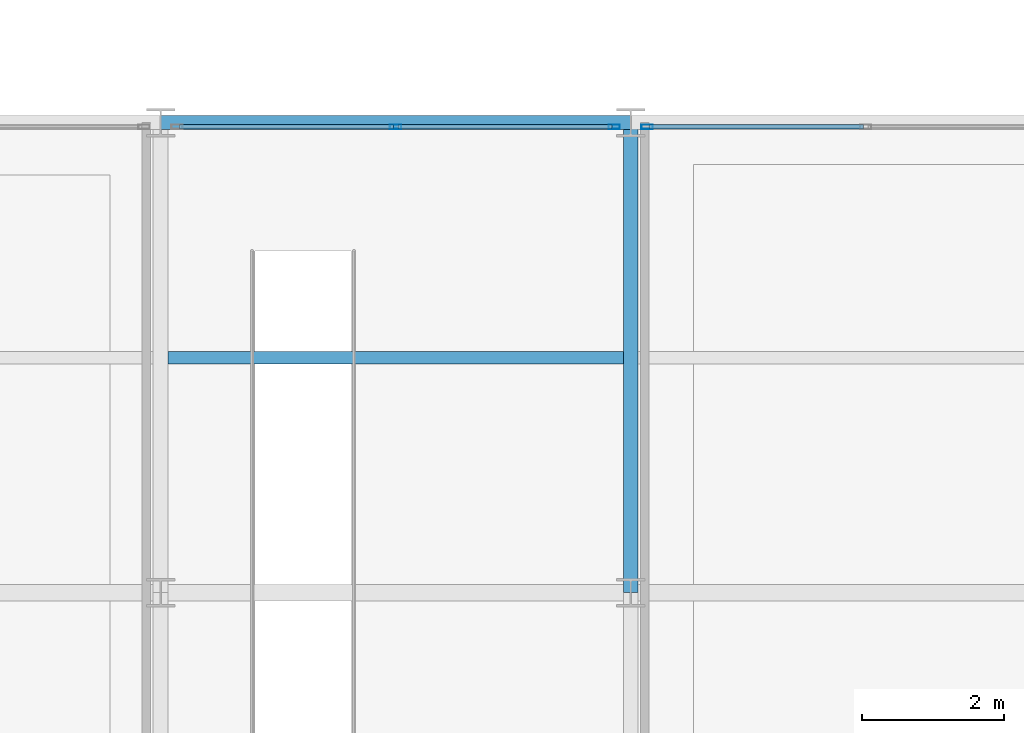
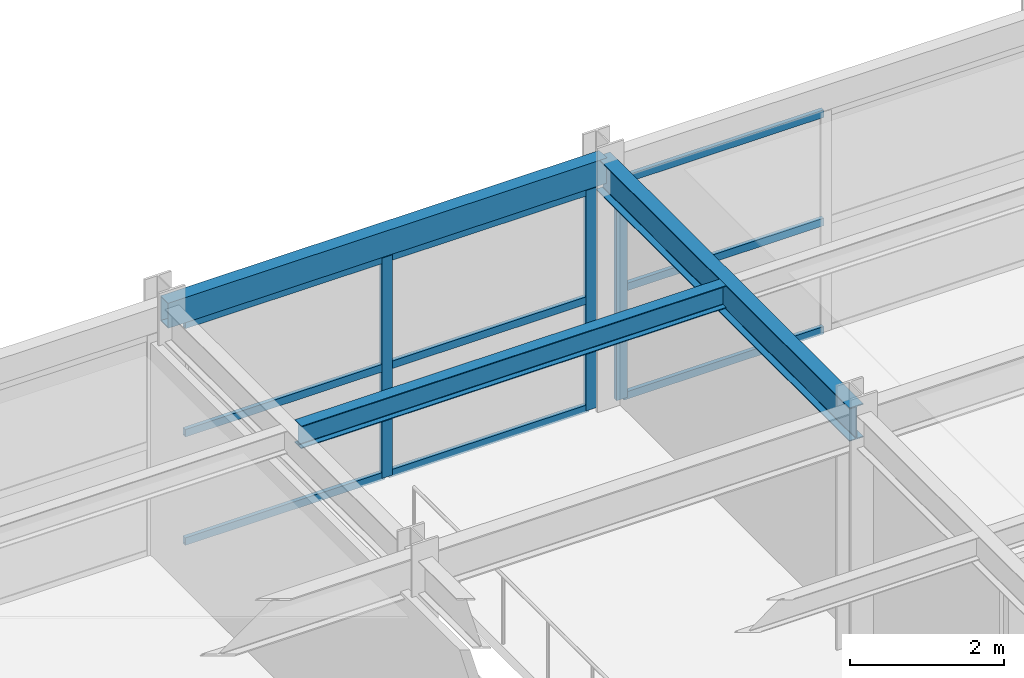
# One storey, part 93 of 147: 12 members, 3 beams, 2 elements without a shape of their own.
"""IFC4 building model written with IfcOpenShell, lengths in metres."""

import ifcopenshell
import ifcopenshell.guid

model = None  # the IFC model being written
_history = None  # IfcOwnerHistory: only IFC2X3 demands one
_inside = {}  # id of a spatial element -> (the spatial element, [elements in it])
_under = {}  # id of a project, library or spatial element -> (it, [spatial elements below it])
_declared = {}  # id of a project -> (the project, [libraries it declares])
_typed = {}  # id of a type object -> (the type object, [elements of that type])
_made_of = {}  # id of a material, layer set ... -> (it, [elements and type objects made of it])


def new_model(schema):
    """Start an empty IFC model of exactly this schema.

    Asked for "IFC4X3", IfcOpenShell would pick the latest addendum, in which some entities
    have other attributes; the version numbers below select the first issue.
    IFC2X3 requires an IfcOwnerHistory on every rooted entity: one is made here for all.
    """
    global model, _history
    if schema == "IFC4X3":
        model = ifcopenshell.file(schema_version=(4, 3, 0, 0))
    else:
        model = ifcopenshell.file(schema=schema)
    _inside.clear()
    _under.clear()
    _declared.clear()
    _typed.clear()
    _made_of.clear()
    _history = None
    if model.schema == "IFC2X3":
        org = make("IfcOrganization", Name="unknown")
        user = make(
            "IfcPersonAndOrganization",
            ThePerson=make("IfcPerson", FamilyName="unknown"),
            TheOrganization=org,
        )
        app = make(
            "IfcApplication",
            ApplicationDeveloper=org,
            Version="unknown",
            ApplicationFullName="unknown",
            ApplicationIdentifier="unknown",
        )
        _history = make(
            "IfcOwnerHistory",
            OwningUser=user,
            OwningApplication=app,
            ChangeAction="ADDED",
            CreationDate=0,
        )
    return model


def make(cls, **values):
    """One entity of the class cls with the attributes given. An attribute that is None is left unset."""
    return model.create_entity(
        cls, **{name: value for name, value in values.items() if value is not None}
    )


def rooted(cls, **values):
    """An entity with a GlobalId (a new one), such as an element, a storey or a relation."""
    return make(cls, GlobalId=ifcopenshell.guid.new(), OwnerHistory=_history, **values)


def si_unit(unit_type, name, prefix=None):
    """IfcSIUnit, for example si_unit("LENGTHUNIT", "METRE", prefix="MILLI")."""
    return make("IfcSIUnit", UnitType=unit_type, Prefix=prefix, Name=name)


def assignment(units):
    """IfcUnitAssignment: the units of a project."""
    return None if units is None else make("IfcUnitAssignment", Units=units)


def point(xyz):
    """IfcCartesianPoint."""
    return None if xyz is None else make("IfcCartesianPoint", Coordinates=xyz)


def direction(xyz):
    """IfcDirection."""
    return None if xyz is None else make("IfcDirection", DirectionRatios=xyz)


def frame(location, z_axis=None, x_axis=None):
    """IfcAxis2Placement3D, a coordinate frame: its origin and axes. An axis left out is left unset."""
    return make(
        "IfcAxis2Placement3D",
        Location=point(location),
        Axis=direction(z_axis),
        RefDirection=direction(x_axis),
    )


def frame_2d(location, x_axis=None):
    """IfcAxis2Placement2D, a coordinate frame in the plane: its origin and x axis."""
    return make(
        "IfcAxis2Placement2D", Location=point(location), RefDirection=direction(x_axis)
    )


def origin():
    """The frame at (0, 0, 0) with its axes left unset."""
    return frame((0.0, 0.0, 0.0))


def origin_2d():
    """The frame at (0, 0) in the plane with its x axis left unset."""
    return frame_2d((0.0, 0.0))


def place(relative_to, where):
    """IfcLocalPlacement: puts the frame where relative to a parent placement (None: the world)."""
    return make(
        "IfcLocalPlacement", PlacementRelTo=relative_to, RelativePlacement=where
    )


def context(
    kind, dimensions, precision=None, world=None, true_north=None, identifier=None
):
    """IfcGeometricRepresentationContext, for example the 3D "Model" context."""
    return make(
        "IfcGeometricRepresentationContext",
        ContextIdentifier=identifier,
        ContextType=kind,
        CoordinateSpaceDimension=dimensions,
        Precision=precision,
        WorldCoordinateSystem=world,
        TrueNorth=true_north,
    )


def subcontext(parent, identifier, kind, view, scale=None):
    """IfcGeometricRepresentationSubContext, for example "Body" below "Model"."""
    return make(
        "IfcGeometricRepresentationSubContext",
        ContextIdentifier=identifier,
        ContextType=kind,
        ParentContext=parent,
        TargetScale=scale,
        TargetView=view,
    )


def project(units=None, contexts=None):
    """IfcProject with its units and contexts."""
    return rooted(
        "IfcProject",
        Name="project",
        RepresentationContexts=contexts,
        UnitsInContext=assignment(units),
    )


def spatial(cls, under=None, at=None, **own):
    """A site, building, storey or space (cls), placed at a placement, below another one or the project."""
    s = rooted(cls, ObjectPlacement=at, **own)
    if under is not None:
        _under.setdefault(under.id(), (under, []))[1].append(s)
    return s


def profile(cls, at=None, kind="AREA", **sizes):
    """A parametric profile (cls). Its sizes go by their IFC names, for example OverallWidth=200.0."""
    return make(cls, ProfileType=kind, Position=at, **sizes)


def hollow_rectangle(**sizes):
    """IfcRectangleHollowProfileDef."""
    return profile("IfcRectangleHollowProfileDef", **sizes)


def i_section(**sizes):
    """IfcIShapeProfileDef."""
    return profile("IfcIShapeProfileDef", **sizes)


def extrude(swept, where, along, depth):
    """IfcExtrudedAreaSolid: the profile swept, set in the frame where, extruded along a direction by depth."""
    return make(
        "IfcExtrudedAreaSolid",
        SweptArea=swept,
        Position=where,
        ExtrudedDirection=direction(along),
        Depth=depth,
    )


def shape(context_of_items, identifier, shape_type, items):
    """IfcShapeRepresentation: the items that make up one representation, for example the "Body"."""
    return make(
        "IfcShapeRepresentation",
        ContextOfItems=context_of_items,
        RepresentationIdentifier=identifier,
        RepresentationType=shape_type,
        Items=items,
    )


def material(Name=None, Category=None):
    """IfcMaterial."""
    return make("IfcMaterial", Name=Name, Category=Category)


def material_profile(
    of_material, cross_section, Name=None, Category=None, Priority=None
):
    """IfcMaterialProfile: a cross section and its material."""
    return make(
        "IfcMaterialProfile",
        Name=Name,
        Material=of_material,
        Profile=cross_section,
        Priority=Priority,
        Category=Category,
    )


def profile_set(profiles, Name=None, composite=None):
    """IfcMaterialProfileSet."""
    return make(
        "IfcMaterialProfileSet",
        Name=Name,
        MaterialProfiles=profiles,
        CompositeProfile=composite,
    )


def made_of(thing, what):
    """Note that an element or type object is made of a material, layer set ...; save() writes the relation."""
    if what is not None:
        _made_of.setdefault(what.id(), (what, []))[1].append(thing)
    return thing


def type_object(cls, material=None, **own):
    """A type object (cls), such as IfcWallType, which elements share."""
    return made_of(rooted(cls, **own), material)


def element(
    cls,
    number,
    at=None,
    inside=None,
    cuts=None,
    type_object=None,
    material=None,
    context=None,
    identifier="Body",
    shape_type=None,
    held_by="IfcProductDefinitionShape",
    body=None,
    shapes=None,
    **own,
):
    """One element of the class cls, such as IfcWall. Its Tag is "e" and its number.

    at: its placement. inside: the storey or other place that contains it. cuts: it is an
    opening in that element (IfcRelVoidsElement). A single representation is given by context,
    identifier, shape_type and body (its items); several are given by shapes. held_by: the class
    of the entity that holds the representations. save() writes the other relations.
    """
    e = rooted(cls, Tag="e%d" % number, ObjectPlacement=at, **own)
    if body is not None:
        shapes = [shape(context, identifier, shape_type, body)]
    if shapes is not None:
        e.Representation = make(held_by, Representations=shapes)
    if inside is not None:
        _inside.setdefault(inside.id(), (inside, []))[1].append(e)
    if cuts is not None:
        rooted(
            "IfcRelVoidsElement", RelatingBuildingElement=cuts, RelatedOpeningElement=e
        )
    if type_object is not None:
        _typed.setdefault(type_object.id(), (type_object, []))[1].append(e)
    return made_of(e, material)


def aggregate(whole, parts):
    """IfcRelAggregates: a whole, such as a stair, and the parts it consists of."""
    return rooted("IfcRelAggregates", RelatingObject=whole, RelatedObjects=parts)


def save(model, path):
    """Write the relations noted so far, then the file.

    IfcRelAggregates (storeys below a building ...), IfcRelContainedInSpatialStructure (elements
    in a storey), IfcRelDefinesByType, IfcRelAssociatesMaterial and IfcRelDeclares: one each for
    every whole, place, type object, material and project.
    """
    for whole, parts in _under.values():
        aggregate(whole, parts)
    for where, things in _inside.values():
        rooted(
            "IfcRelContainedInSpatialStructure",
            RelatedElements=things,
            RelatingStructure=where,
        )
    for kind, things in _typed.values():
        rooted("IfcRelDefinesByType", RelatedObjects=things, RelatingType=kind)
    for what, things in _made_of.values():
        rooted("IfcRelAssociatesMaterial", RelatedObjects=things, RelatingMaterial=what)
    for by, libraries in _declared.values():
        rooted("IfcRelDeclares", RelatingContext=by, RelatedDefinitions=libraries)
    model.write(path)


model = new_model("IFC4")

# Units and contexts
model_context = context("Model", 3, precision=1e-05, world=origin(), true_north=direction((0.0, 1.0)))
body_context = subcontext(model_context, "Body", "Model", "MODEL_VIEW")
ifc_project = project(units=[si_unit("LENGTHUNIT", "METRE"), si_unit("AREAUNIT", "SQUARE_METRE"), si_unit("VOLUMEUNIT", "CUBIC_METRE"), si_unit("PLANEANGLEUNIT", "RADIAN"), si_unit("MASSUNIT", "GRAM", prefix="KILO")], contexts=[model_context])

# Site, building, storey
site_placement = place(None, origin())
site = spatial("IfcSite", under=ifc_project, at=site_placement, CompositionType="ELEMENT")
building_placement = place(site_placement, origin())
building = spatial("IfcBuilding", under=site, at=building_placement, Name="Karori Crest Natural Sciences Institute", CompositionType="ELEMENT")
storey_placement = place(building_placement, frame((0.0, 0.0, 9.10009765625)))
storey = spatial("IfcBuildingStorey", under=building, at=storey_placement, Name="L02", CompositionType="ELEMENT", Elevation=9.10009765625)

# Beams
ifc_material_1 = material(Name="Structural steel AS/NZS 3679.1 Grade 350", Category="steel")
ifc_material_profile_1 = material_profile(ifc_material_1, i_section(OverallWidth=0.208984375, OverallDepth=0.532958984375, WebThickness=0.01025390625, FlangeThickness=0.015625, FilletRadius=0.013916015625, at=origin_2d()), Name="530UB92.4")
ifc_profile_set_1 = profile_set([ifc_material_profile_1], Name="Structural steel AS/NZS 3679.1 Grade 350")
beam_type_1 = type_object("IfcBeamType", Name="BT-05", PredefinedType="BEAM", material=ifc_profile_set_1)
beam_1_placement = place(storey_placement, frame((149.800048828125, 14.0, 3.6533203125), z_axis=(0.0, 1.0, 0.0), x_axis=(-1.0, 0.0, 0.0)))
element("IfcBeam", 1, at=beam_1_placement, inside=storey, type_object=beam_type_1, Name="Beam B-2252", PredefinedType="BEAM", context=body_context, shape_type="SweptSolid", body=[
    extrude(i_section(OverallWidth=0.208984375, OverallDepth=0.532958984375, WebThickness=0.01025390625, FlangeThickness=0.015625, FilletRadius=0.013916015625, at=origin_2d()), origin(), (0.0, 0.0, 1.0), 6.60009765625),
])
ifc_material_profile_2 = material_profile(ifc_material_1, i_section(OverallWidth=0.172119140625, OverallDepth=0.35888671875, WebThickness=0.008056640625, FlangeThickness=0.012939453125, FilletRadius=0.010986328125, at=origin_2d()), Name="360UB56.7")
ifc_profile_set_2 = profile_set([ifc_material_profile_2], Name="Structural steel AS/NZS 3679.1 Grade 350")
beam_type_2 = type_object("IfcBeamType", Name="BT-08", PredefinedType="BEAM", material=ifc_profile_set_2)
beam_2_placement = place(storey_placement, frame((143.304443359375, 17.300048828125, 3.740478515625), z_axis=(1.0, 0.0, 0.0), x_axis=(0.0, 1.0, 0.0)))
element("IfcBeam", 2, at=beam_2_placement, inside=storey, type_object=beam_type_2, Name="Beam B-2275", PredefinedType="BEAM", context=body_context, shape_type="SweptSolid", body=[
    extrude(i_section(OverallWidth=0.172119140625, OverallDepth=0.35888671875, WebThickness=0.008056640625, FlangeThickness=0.012939453125, FilletRadius=0.010986328125, at=origin_2d()), origin(), (0.0, 0.0, 1.0), 6.39111328125),
])
ifc_material_2 = material(Name="Hollow structural steel AS/NZS 1163 Grade C350", Category="steel")
ifc_material_profile_3 = material_profile(ifc_material_2, hollow_rectangle(XDim=0.199951171875, YDim=0.39990234375, WallThickness=0.012451171875, at=origin_2d()), Name="RHS400x200x12.5")
ifc_profile_set_3 = profile_set([ifc_material_profile_3], Name="Hollow structural steel AS/NZS 1163 Grade C350")
beam_type_3 = type_object("IfcBeamType", Name="BT-14", PredefinedType="SPANDREL", material=ifc_profile_set_3)
beam_3_placement = place(storey_placement, frame((143.199951171875, 20.60009765625, 3.719970703125), z_axis=(1.0, 0.0, 0.0), x_axis=(0.0, 1.0, 0.0)))
element("IfcBeam", 3, at=beam_3_placement, inside=storey, type_object=beam_type_3, Name="Beam B-2226", PredefinedType="SPANDREL", context=body_context, shape_type="SweptSolid", body=[
    extrude(hollow_rectangle(XDim=0.199951171875, YDim=0.39990234375, WallThickness=0.012451171875, at=origin_2d()), origin(), (0.0, 0.0, 1.0), 6.60009765625),
])

# Curtain wall, members
ifc_material_3 = material(Name="Anodised architectural aluminium 6063-T6", Category="aluminium")
curtain_wall_type = type_object("IfcCurtainWallType", Name="CWT-20", PredefinedType="NOTDEFINED", material=ifc_material_3)
curtain_wall_1_placement = place(storey_placement, origin())
curtain_wall_1 = element("IfcCurtainWall", 4, at=curtain_wall_1_placement, inside=storey, type_object=curtain_wall_type, Name="Curtain wall CW-0319", PredefinedType="NOTDEFINED")
ifc_material_profile_4 = material_profile(ifc_material_3, hollow_rectangle(XDim=0.06494140625, YDim=0.159912109375, WallThickness=0.00390625, at=origin_2d()), Name="CWM160x65x4")
ifc_profile_set_4 = profile_set([ifc_material_profile_4], Name="Anodised architectural aluminium 6063-T6")
member_type_1 = type_object("IfcMemberType", Name="CWM-01", PredefinedType="MULLION", material=ifc_profile_set_4)
member_1_placement = place(storey_placement, frame((146.5, 20.5400390625, 0.0), z_axis=(0.0, 0.0, 1.0), x_axis=(0.0, 1.0, 0.0)))
member_1 = element("IfcMember", 5, at=member_1_placement, type_object=member_type_1, Name="CW-0319 mullion 2", PredefinedType="MULLION", context=body_context, shape_type="SweptSolid", body=[
    extrude(hollow_rectangle(XDim=0.06494140625, YDim=0.159912109375, WallThickness=0.00390625, at=origin_2d()), origin(), (0.0, 0.0, 1.0), 3.5048828125),
])
member_2_placement = place(storey_placement, frame((149.569580078125, 20.5400390625, 0.0), z_axis=(0.0, 0.0, 1.0), x_axis=(0.0, 1.0, 0.0)))
member_2 = element("IfcMember", 6, at=member_2_placement, type_object=member_type_1, Name="CW-0319 mullion 3", PredefinedType="MULLION", context=body_context, shape_type="SweptSolid", body=[
    extrude(hollow_rectangle(XDim=0.06494140625, YDim=0.159912109375, WallThickness=0.00390625, at=origin_2d()), origin(), (0.0, 0.0, 1.0), 3.5048828125),
])

# Curtain wall, member
curtain_wall_2_placement = place(storey_placement, origin())
curtain_wall_2 = element("IfcCurtainWall", 7, at=curtain_wall_2_placement, inside=storey, type_object=curtain_wall_type, Name="Curtain wall CW-0320", PredefinedType="NOTDEFINED")
member_3_placement = place(storey_placement, frame((150.030517578125, 20.5400390625, 0.0), z_axis=(0.0, 0.0, 1.0), x_axis=(0.0, 1.0, 0.0)))
member_3 = element("IfcMember", 8, at=member_3_placement, type_object=member_type_1, Name="CW-0320 mullion 1", PredefinedType="MULLION", context=body_context, shape_type="SweptSolid", body=[
    extrude(hollow_rectangle(XDim=0.06494140625, YDim=0.159912109375, WallThickness=0.00390625, at=origin_2d()), origin(), (0.0, 0.0, 1.0), 3.5048828125),
])

# Member
ifc_material_profile_5 = material_profile(ifc_material_3, hollow_rectangle(XDim=0.06005859375, YDim=0.1201171875, WallThickness=0.00390625, at=origin_2d()), Name="CWT120x60x4")
ifc_profile_set_5 = profile_set([ifc_material_profile_5], Name="Anodised architectural aluminium 6063-T6")
member_type_2 = type_object("IfcMemberType", Name="CWT-TR1", PredefinedType="USERDEFINED", material=ifc_profile_set_5)
member_4_placement = place(storey_placement, frame((143.462890625, 20.5400390625, 0.02978515625), z_axis=(1.0, 0.0, 0.0), x_axis=(0.0, 1.0, 0.0)))
member_4 = element("IfcMember", 9, at=member_4_placement, type_object=member_type_2, Name="CW-0319 transom 1.1", ObjectType="TRANSOM", PredefinedType="USERDEFINED", context=body_context, shape_type="SweptSolid", body=[
    extrude(hollow_rectangle(XDim=0.06005859375, YDim=0.1201171875, WallThickness=0.00390625, at=origin_2d()), origin(), (0.0, 0.0, 1.0), 3.004638671875),
])

member_5_placement = place(storey_placement, frame((143.462890625, 20.5400390625, 1.75244140625), z_axis=(1.0, 0.0, 0.0), x_axis=(0.0, 1.0, 0.0)))
member_5 = element("IfcMember", 10, at=member_5_placement, type_object=member_type_2, Name="CW-0319 transom 1.2", ObjectType="TRANSOM", PredefinedType="USERDEFINED", context=body_context, shape_type="SweptSolid", body=[
    extrude(hollow_rectangle(XDim=0.06005859375, YDim=0.1201171875, WallThickness=0.00390625, at=origin_2d()), origin(), (0.0, 0.0, 1.0), 3.004638671875),
])

member_6_placement = place(storey_placement, frame((143.462890625, 20.5400390625, 3.474853515625), z_axis=(1.0, 0.0, 0.0), x_axis=(0.0, 1.0, 0.0)))
member_6 = element("IfcMember", 11, at=member_6_placement, type_object=member_type_2, Name="CW-0319 transom 1.3", ObjectType="TRANSOM", PredefinedType="USERDEFINED", context=body_context, shape_type="SweptSolid", body=[
    extrude(hollow_rectangle(XDim=0.06005859375, YDim=0.1201171875, WallThickness=0.00390625, at=origin_2d()), origin(), (0.0, 0.0, 1.0), 3.004638671875),
])

member_7_placement = place(storey_placement, frame((146.532470703125, 20.5400390625, 0.02978515625), z_axis=(1.0, 0.0, 0.0), x_axis=(0.0, 1.0, 0.0)))
member_7 = element("IfcMember", 12, at=member_7_placement, type_object=member_type_2, Name="CW-0319 transom 2.1", ObjectType="TRANSOM", PredefinedType="USERDEFINED", context=body_context, shape_type="SweptSolid", body=[
    extrude(hollow_rectangle(XDim=0.06005859375, YDim=0.1201171875, WallThickness=0.00390625, at=origin_2d()), origin(), (0.0, 0.0, 1.0), 3.004638671875),
])

member_8_placement = place(storey_placement, frame((146.532470703125, 20.5400390625, 1.75244140625), z_axis=(1.0, 0.0, 0.0), x_axis=(0.0, 1.0, 0.0)))
member_8 = element("IfcMember", 13, at=member_8_placement, type_object=member_type_2, Name="CW-0319 transom 2.2", ObjectType="TRANSOM", PredefinedType="USERDEFINED", context=body_context, shape_type="SweptSolid", body=[
    extrude(hollow_rectangle(XDim=0.06005859375, YDim=0.1201171875, WallThickness=0.00390625, at=origin_2d()), origin(), (0.0, 0.0, 1.0), 3.004638671875),
])

member_9_placement = place(storey_placement, frame((146.532470703125, 20.5400390625, 3.474853515625), z_axis=(1.0, 0.0, 0.0), x_axis=(0.0, 1.0, 0.0)))
member_9 = element("IfcMember", 14, at=member_9_placement, type_object=member_type_2, Name="CW-0319 transom 2.3", ObjectType="TRANSOM", PredefinedType="USERDEFINED", context=body_context, shape_type="SweptSolid", body=[
    extrude(hollow_rectangle(XDim=0.06005859375, YDim=0.1201171875, WallThickness=0.00390625, at=origin_2d()), origin(), (0.0, 0.0, 1.0), 3.004638671875),
])

aggregate(curtain_wall_1, [member_1, member_2, member_4, member_5, member_6, member_7, member_8, member_9])

member_10_placement = place(storey_placement, frame((150.06298828125, 20.5400390625, 0.02978515625), z_axis=(1.0, 0.0, 0.0), x_axis=(0.0, 1.0, 0.0)))
member_10 = element("IfcMember", 15, at=member_10_placement, type_object=member_type_2, Name="CW-0320 transom 1.1", ObjectType="TRANSOM", PredefinedType="USERDEFINED", context=body_context, shape_type="SweptSolid", body=[
    extrude(hollow_rectangle(XDim=0.06005859375, YDim=0.1201171875, WallThickness=0.00390625, at=origin_2d()), origin(), (0.0, 0.0, 1.0), 3.00439453125),
])

member_11_placement = place(storey_placement, frame((150.06298828125, 20.5400390625, 1.75244140625), z_axis=(1.0, 0.0, 0.0), x_axis=(0.0, 1.0, 0.0)))
member_11 = element("IfcMember", 16, at=member_11_placement, type_object=member_type_2, Name="CW-0320 transom 1.2", ObjectType="TRANSOM", PredefinedType="USERDEFINED", context=body_context, shape_type="SweptSolid", body=[
    extrude(hollow_rectangle(XDim=0.06005859375, YDim=0.1201171875, WallThickness=0.00390625, at=origin_2d()), origin(), (0.0, 0.0, 1.0), 3.00439453125),
])

member_12_placement = place(storey_placement, frame((150.06298828125, 20.5400390625, 3.474853515625), z_axis=(1.0, 0.0, 0.0), x_axis=(0.0, 1.0, 0.0)))
member_12 = element("IfcMember", 17, at=member_12_placement, type_object=member_type_2, Name="CW-0320 transom 1.3", ObjectType="TRANSOM", PredefinedType="USERDEFINED", context=body_context, shape_type="SweptSolid", body=[
    extrude(hollow_rectangle(XDim=0.06005859375, YDim=0.1201171875, WallThickness=0.00390625, at=origin_2d()), origin(), (0.0, 0.0, 1.0), 3.00439453125),
])

aggregate(curtain_wall_2, [member_3, member_10, member_11, member_12])

save(model, "model.ifc")
